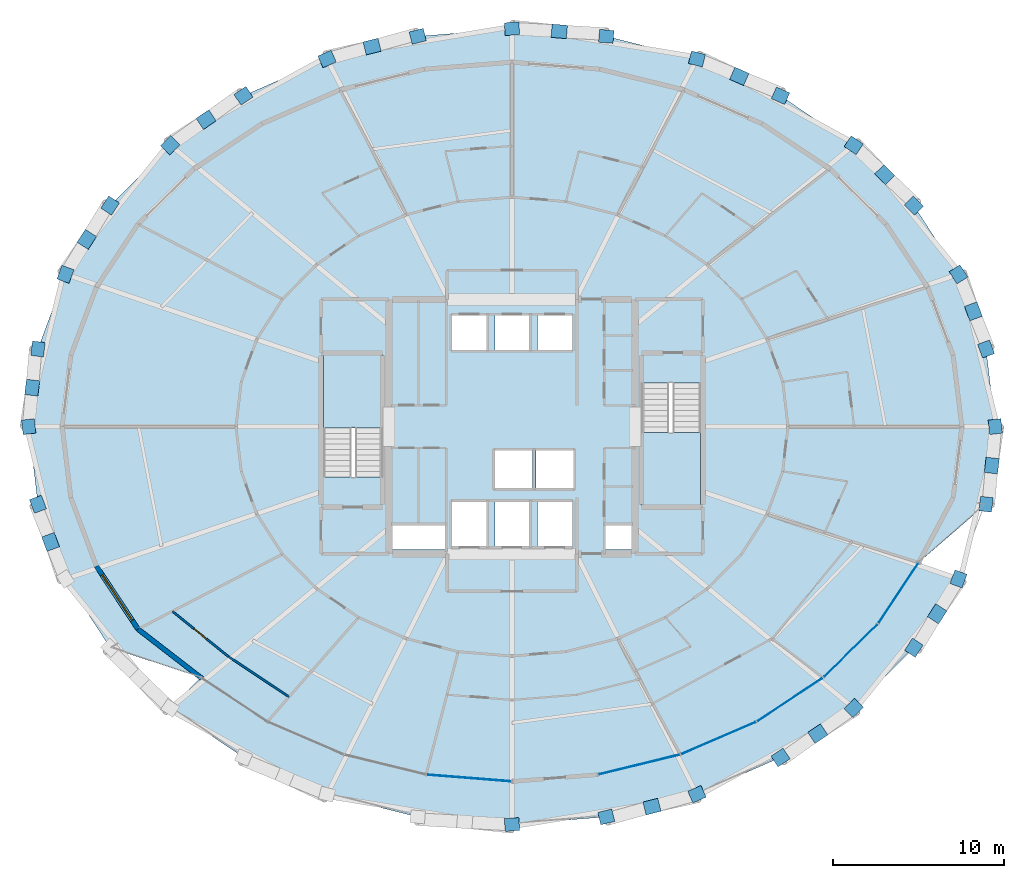
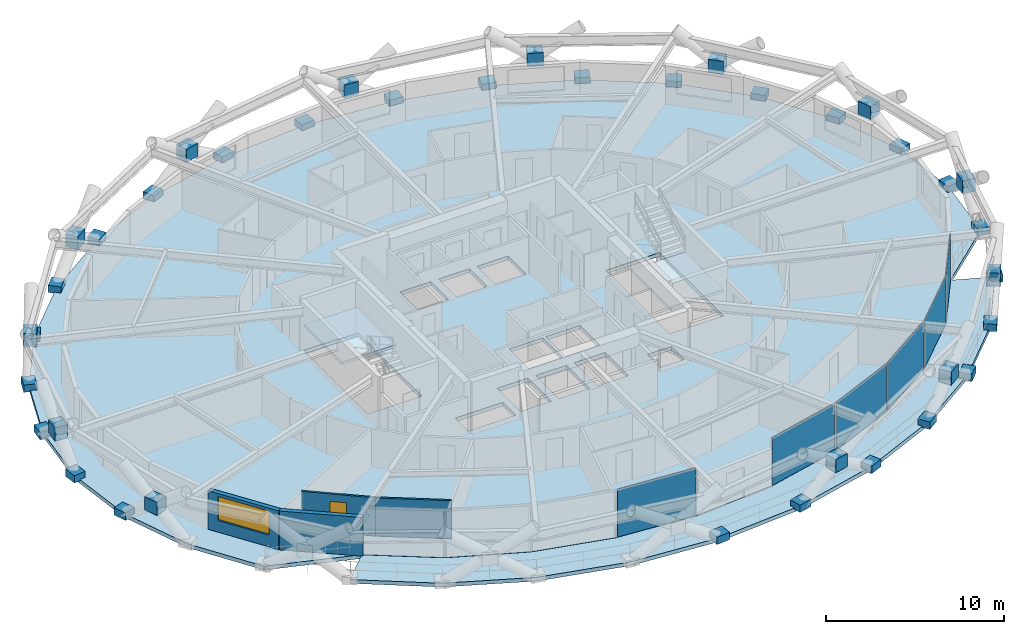
# One storey, part 13 of 20: 45 plates, 4 slabs, 4 walls, 1 door, 1 window, 2 openings, 4 elements without a shape of their own.
"""IFC4 building model written with IfcOpenShell, lengths in metres."""

from ifc_helpers import new_model, si_unit, direction, frame, frame_2d, origin, origin_2d, place, context, subcontext, project, spatial, polyline, rectangle, outline, extrude, material, layer, layer_set, type_object, element, fill, aggregate, save


model = new_model("IFC4")

# Units and contexts
model_context = context("Model", 3, precision=1e-05, world=origin(), true_north=direction((0.0, 1.0)))
body_context = subcontext(model_context, "Body", "Model", "MODEL_VIEW")
ifc_project = project(units=[si_unit("LENGTHUNIT", "METRE"), si_unit("AREAUNIT", "SQUARE_METRE"), si_unit("VOLUMEUNIT", "CUBIC_METRE"), si_unit("PLANEANGLEUNIT", "RADIAN"), si_unit("MASSUNIT", "GRAM", prefix="KILO")], contexts=[model_context])

# Site, building, storey
site_placement = place(None, origin())
site = spatial("IfcSite", under=ifc_project, at=site_placement, CompositionType="ELEMENT")
building_placement = place(site_placement, origin())
building = spatial("IfcBuilding", under=site, at=building_placement, Name="Veldorina Hangang Commons", CompositionType="ELEMENT")
storey_placement = place(building_placement, frame((0.0, 0.0, 48.39990234375)))
storey = spatial("IfcBuildingStorey", under=building, at=storey_placement, Name="L11", CompositionType="ELEMENT", Elevation=48.39990234375)

# Curtain wall, plate
ifc_material_1 = material(Name="Glass Low-E Triple IGU", Category="glass")
ifc_layer_1 = layer(ifc_material_1, 0.179931640625)
ifc_layer_set_1 = layer_set([ifc_layer_1], Name="Glass Low-E Triple IGU")
curtain_wall_type = type_object("IfcCurtainWallType", Name="CW-SYS-Z1", PredefinedType="NOTDEFINED", material=ifc_layer_set_1)
curtain_wall_1_placement = place(storey_placement, origin())
curtain_wall_1 = element("IfcCurtainWall", 1, at=curtain_wall_1_placement, inside=storey, type_object=curtain_wall_type, Name="L11 unitised curtain wall CW-L11-R1", PredefinedType="NOTDEFINED")
ifc_layer_2 = layer(ifc_material_1, 0.0400390625)
ifc_layer_set_2 = layer_set([ifc_layer_2], Name="Glass Low-E Triple IGU")
plate_type_1 = type_object("IfcPlateType", Name="CW-PNL-VIS", PredefinedType="CURTAIN_PANEL", material=ifc_layer_set_2)
plate_1_placement = place(storey_placement, frame((29.485595703125, 3.421630859375, 0.01513671875), z_axis=(0.0, 0.0, 1.0), x_axis=(0.996863697377, -0.079137657603, 0.0)))
plate_1 = element("IfcPlate", 2, at=plate_1_placement, type_object=plate_type_1, Name="CW-L11-R1 facet 4 glazed vision panel", PredefinedType="CURTAIN_PANEL", context=body_context, shape_type="SweptSolid", body=[
    extrude(rectangle(XDim=4.86474609375, YDim=0.0400390625, at=origin_2d()), origin(), (0.0, 0.0, 1.0), 3.27001953125),
])
aggregate(curtain_wall_1, [plate_1])

# Curtain wall, plates
curtain_wall_2_placement = place(storey_placement, origin())
curtain_wall_2 = element("IfcCurtainWall", 3, at=curtain_wall_2_placement, inside=storey, type_object=curtain_wall_type, Name="L11 unitised curtain wall CW-L11-R2", PredefinedType="NOTDEFINED")
plate_2_placement = place(storey_placement, frame((39.447021484375, 4.21240234375, 0.01513671875), z_axis=(0.0, 0.0, 1.0), x_axis=(0.971383539033, 0.237516357534, 0.0)))
plate_2 = element("IfcPlate", 4, at=plate_2_placement, type_object=plate_type_1, Name="CW-L11-R2 facet 1 glazed vision panel", PredefinedType="CURTAIN_PANEL", context=body_context, shape_type="SweptSolid", body=[
    extrude(rectangle(XDim=4.79833984375, YDim=0.0400390625, at=origin_2d()), origin(), (0.0, 0.0, 1.0), 3.27001953125),
])
plate_3_placement = place(storey_placement, frame((44.09326171875, 5.763671875, 0.01513671875), z_axis=(0.0, 0.0, 1.0), x_axis=(0.91839114382, 0.395673738014, 0.0)))
plate_3 = element("IfcPlate", 5, at=plate_3_placement, type_object=plate_type_1, Name="CW-L11-R2 facet 2 glazed vision panel", PredefinedType="CURTAIN_PANEL", context=body_context, shape_type="SweptSolid", body=[
    extrude(rectangle(XDim=4.672607421875, YDim=0.0400390625, at=origin_2d()), origin(), (0.0, 0.0, 1.0), 3.27001953125),
])
plate_4_placement = place(storey_placement, frame((48.274658203125, 8.015625, 0.01513671875), z_axis=(0.0, 0.0, 1.0), x_axis=(0.834039919434, 0.551704098944, 0.0)))
plate_4 = element("IfcPlate", 6, at=plate_4_placement, type_object=plate_type_1, Name="CW-L11-R2 facet 3 glazed vision panel", PredefinedType="CURTAIN_PANEL", context=body_context, shape_type="SweptSolid", body=[
    extrude(rectangle(XDim=4.503662109375, YDim=0.0400390625, at=origin_2d()), origin(), (0.0, 0.0, 1.0), 3.27001953125),
])
plate_5_placement = place(storey_placement, frame((51.830810546875, 10.882080078125, 0.01513671875), z_axis=(0.0, 0.0, 1.0), x_axis=(0.713433922326, 0.700722511751, 0.0)))
plate_5 = element("IfcPlate", 7, at=plate_5_placement, type_object=plate_type_1, Name="CW-L11-R2 facet 4 glazed vision panel", PredefinedType="CURTAIN_PANEL", context=body_context, shape_type="SweptSolid", body=[
    extrude(rectangle(XDim=4.3134765625, YDim=0.0400390625, at=origin_2d()), origin(), (0.0, 0.0, 1.0), 3.27001953125),
])
plate_6_placement = place(storey_placement, frame((54.624755859375, 14.25244140625, 0.01513671875), z_axis=(0.0, 0.0, 1.0), x_axis=(0.552679023274, 0.833394202784, 0.0)))
plate_6 = element("IfcPlate", 8, at=plate_6_placement, type_object=plate_type_1, Name="CW-L11-R2 facet 5 glazed vision panel", PredefinedType="CURTAIN_PANEL", context=body_context, shape_type="SweptSolid", body=[
    extrude(rectangle(XDim=4.13037109375, YDim=0.0400390625, at=origin_2d()), origin(), (0.0, 0.0, 1.0), 3.27001953125),
])
aggregate(curtain_wall_2, [plate_2, plate_3, plate_4, plate_5, plate_6])

# Plates
ifc_material_2 = material(Name="Steel SM460-TMC", Category="steel")
ifc_layer_3 = layer(ifc_material_2, 0.035888671875)
ifc_layer_set_3 = layer_set([ifc_layer_3], Name="Steel SM460-TMC")
plate_type_2 = type_object("IfcPlateType", Name="PL-STAR-36", PredefinedType="USERDEFINED", material=ifc_layer_set_3)
for number, where, z_axis, x_axis, name in (
    (9, (60.298095703125, 24.0, -0.08984375), (0.0, 0.0, 1.0), (-0.118767901212, 0.992922044091, 0.0), "L11 diagrid star-node gusset plate 00"),
    (10, (59.75439453125, 28.545166015625, -0.08984375), (0.0, 0.0, 1.0), (-0.345740415061, 0.938330200619, 0.0), "L11 diagrid star-node gusset plate 01"),
):
    element("IfcPlate", number, at=place(storey_placement, frame(where, z_axis=z_axis, x_axis=x_axis)), inside=storey, type_object=plate_type_2, Name=name, ObjectType="GUSSET PLATE", PredefinedType="USERDEFINED", context=body_context, shape_type="SweptSolid", body=[
        extrude(rectangle(XDim=0.85009765625, YDim=0.75, at=origin_2d()), origin(), (0.0, 0.0, 1.0), 0.5),
    ])
plate_7_placement = place(storey_placement, frame((59.0146484375, 30.75048828125, 1.344970703125), z_axis=(0.0, 0.0, 1.0), x_axis=(-0.345740415061, 0.938330200619, 0.0)))
element("IfcPlate", 11, at=plate_7_placement, inside=storey, type_object=plate_type_2, Name="L11 diagrid X-crossing star-node gusset plate 01", ObjectType="GUSSET PLATE", PredefinedType="USERDEFINED", context=body_context, shape_type="SweptSolid", body=[
    extrude(rectangle(XDim=0.89990234375, YDim=0.780029296875, at=origin_2d()), origin(), (0.0, 0.0, 1.0), 0.89990234375),
])
for number, where, z_axis, x_axis, name in (
    (12, (58.143798828125, 32.915771484375, -0.08984375), (0.0, 0.0, 1.0), (-0.544536568011, 0.838737101897, 0.0), "L11 diagrid star-node gusset plate 02"),
    (13, (55.52880859375, 36.943603515625, -0.08984375), (0.0, 0.0, 1.0), (-0.705970466697, 0.708241272556, 0.0), "L11 diagrid star-node gusset plate 03"),
):
    element("IfcPlate", number, at=place(storey_placement, frame(where, z_axis=z_axis, x_axis=x_axis)), inside=storey, type_object=plate_type_2, Name=name, ObjectType="GUSSET PLATE", PredefinedType="USERDEFINED", context=body_context, shape_type="SweptSolid", body=[
        extrude(rectangle(XDim=0.85009765625, YDim=0.75, at=origin_2d()), origin(), (0.0, 0.0, 1.0), 0.5),
    ])
plate_8_placement = place(storey_placement, frame((53.822509765625, 38.752685546875, 1.345458984375), z_axis=(0.0, 0.0, 1.0), x_axis=(-0.705970466697, 0.708241272556, 0.0)))
element("IfcPlate", 14, at=plate_8_placement, inside=storey, type_object=plate_type_2, Name="L11 diagrid X-crossing star-node gusset plate 03", ObjectType="GUSSET PLATE", PredefinedType="USERDEFINED", context=body_context, shape_type="SweptSolid", body=[
    extrude(rectangle(XDim=0.89990234375, YDim=0.780029296875, at=origin_2d()), origin(), (0.0, 0.0, 1.0), 0.89990234375),
])
for number, where, z_axis, x_axis, name in (
    (15, (52.009765625, 40.47412109375, -0.08984375), (0.0, 0.0, 1.0), (-0.82858835658, 0.559858317202, 0.0), "L11 diagrid star-node gusset plate 04"),
    (16, (47.721435546875, 43.37158203125, -0.08984375), (0.0, 0.0, 1.0), (-0.91529742005, 0.402778640011, 0.0), "L11 diagrid star-node gusset plate 05"),
):
    element("IfcPlate", number, at=place(storey_placement, frame(where, z_axis=z_axis, x_axis=x_axis)), inside=storey, type_object=plate_type_2, Name=name, ObjectType="GUSSET PLATE", PredefinedType="USERDEFINED", context=body_context, shape_type="SweptSolid", body=[
        extrude(rectangle(XDim=0.85009765625, YDim=0.75, at=origin_2d()), origin(), (0.0, 0.0, 1.0), 0.5),
    ])
plate_9_placement = place(storey_placement, frame((45.3076171875, 44.508544921875, 1.345703125), z_axis=(0.0, 0.0, 1.0), x_axis=(-0.91529742005, 0.402778640011, 0.0)))
element("IfcPlate", 17, at=plate_9_placement, inside=storey, type_object=plate_type_2, Name="L11 diagrid X-crossing star-node gusset plate 05", ObjectType="GUSSET PLATE", PredefinedType="USERDEFINED", context=body_context, shape_type="SweptSolid", body=[
    extrude(rectangle(XDim=0.89990234375, YDim=0.780029296875, at=origin_2d()), origin(), (0.0, 0.0, 1.0), 0.89990234375),
])
for number, where, z_axis, x_axis, name in (
    (18, (42.8291015625, 45.5244140625, -0.08984375), (0.0, 0.0, 1.0), (-0.970198534428, 0.242311377765, 0.0), "L11 diagrid star-node gusset plate 06"),
    (19, (37.520751953125, 46.850341796875, -0.08984375), (0.0, 0.0, 1.0), (-0.996728291233, 0.080825203097, 0.0), "L11 diagrid star-node gusset plate 07"),
):
    element("IfcPlate", number, at=place(storey_placement, frame(where, z_axis=z_axis, x_axis=x_axis)), inside=storey, type_object=plate_type_2, Name=name, ObjectType="GUSSET PLATE", PredefinedType="USERDEFINED", context=body_context, shape_type="SweptSolid", body=[
        extrude(rectangle(XDim=0.85009765625, YDim=0.75, at=origin_2d()), origin(), (0.0, 0.0, 1.0), 0.5),
    ])
plate_10_placement = place(storey_placement, frame((34.76708984375, 47.14208984375, 1.345947265625), z_axis=(0.0, 0.0, 1.0), x_axis=(-0.996728291233, 0.080825203097, 0.0)))
element("IfcPlate", 20, at=plate_10_placement, inside=storey, type_object=plate_type_2, Name="L11 diagrid X-crossing star-node gusset plate 07", ObjectType="GUSSET PLATE", PredefinedType="USERDEFINED", context=body_context, shape_type="SweptSolid", body=[
    extrude(rectangle(XDim=0.89990234375, YDim=0.780029296875, at=origin_2d()), origin(), (0.0, 0.0, 1.0), 0.89990234375),
])
for number, where, z_axis, x_axis, name in (
    (21, (32.0, 47.298095703125, -0.08984375), (0.0, 0.0, 1.0), (-0.996728291233, -0.080825203097, 0.0), "L11 diagrid star-node gusset plate 08"),
    (22, (26.479248046875, 46.850341796875, -0.08984375), (0.0, 0.0, 1.0), (-0.970198534428, -0.242311377765, 0.0), "L11 diagrid star-node gusset plate 09"),
):
    element("IfcPlate", number, at=place(storey_placement, frame(where, z_axis=z_axis, x_axis=x_axis)), inside=storey, type_object=plate_type_2, Name=name, ObjectType="GUSSET PLATE", PredefinedType="USERDEFINED", context=body_context, shape_type="SweptSolid", body=[
        extrude(rectangle(XDim=0.85009765625, YDim=0.75, at=origin_2d()), origin(), (0.0, 0.0, 1.0), 0.5),
    ])
plate_11_placement = place(storey_placement, frame((23.805419921875, 46.252197265625, 1.345703125), z_axis=(0.0, 0.0, 1.0), x_axis=(-0.970198534428, -0.242311377765, 0.0)))
element("IfcPlate", 23, at=plate_11_placement, inside=storey, type_object=plate_type_2, Name="L11 diagrid X-crossing star-node gusset plate 09", ObjectType="GUSSET PLATE", PredefinedType="USERDEFINED", context=body_context, shape_type="SweptSolid", body=[
    extrude(rectangle(XDim=0.89990234375, YDim=0.780029296875, at=origin_2d()), origin(), (0.0, 0.0, 1.0), 0.89990234375),
])
for number, where, z_axis, x_axis, name in (
    (24, (21.1708984375, 45.5244140625, -0.08984375), (0.0, 0.0, 1.0), (-0.91529742005, -0.402778640011, 0.0), "L11 diagrid star-node gusset plate 10"),
    (25, (16.278564453125, 43.37158203125, -0.08984375), (0.0, 0.0, 1.0), (-0.82858835658, -0.559858317202, 0.0), "L11 diagrid star-node gusset plate 11"),
):
    element("IfcPlate", number, at=place(storey_placement, frame(where, z_axis=z_axis, x_axis=x_axis)), inside=storey, type_object=plate_type_2, Name=name, ObjectType="GUSSET PLATE", PredefinedType="USERDEFINED", context=body_context, shape_type="SweptSolid", body=[
        extrude(rectangle(XDim=0.85009765625, YDim=0.75, at=origin_2d()), origin(), (0.0, 0.0, 1.0), 0.5),
    ])
plate_12_placement = place(storey_placement, frame((14.091552734375, 41.97509765625, 1.345458984375), z_axis=(0.0, 0.0, 1.0), x_axis=(-0.82858835658, -0.559858317202, 0.0)))
element("IfcPlate", 26, at=plate_12_placement, inside=storey, type_object=plate_type_2, Name="L11 diagrid X-crossing star-node gusset plate 11", ObjectType="GUSSET PLATE", PredefinedType="USERDEFINED", context=body_context, shape_type="SweptSolid", body=[
    extrude(rectangle(XDim=0.89990234375, YDim=0.780029296875, at=origin_2d()), origin(), (0.0, 0.0, 1.0), 0.89990234375),
])
for number, where, z_axis, x_axis, name in (
    (27, (11.990234375, 40.47412109375, -0.08984375), (0.0, 0.0, 1.0), (-0.705970466697, -0.708241272556, 0.0), "L11 diagrid star-node gusset plate 12"),
    (28, (8.47119140625, 36.943603515625, -0.08984375), (0.0, 0.0, 1.0), (-0.544536568011, -0.838737101897, 0.0), "L11 diagrid star-node gusset plate 13"),
):
    element("IfcPlate", number, at=place(storey_placement, frame(where, z_axis=z_axis, x_axis=x_axis)), inside=storey, type_object=plate_type_2, Name=name, ObjectType="GUSSET PLATE", PredefinedType="USERDEFINED", context=body_context, shape_type="SweptSolid", body=[
        extrude(rectangle(XDim=0.85009765625, YDim=0.75, at=origin_2d()), origin(), (0.0, 0.0, 1.0), 0.5),
    ])
plate_13_placement = place(storey_placement, frame((7.10400390625, 34.96142578125, 1.34521484375), z_axis=(0.0, 0.0, 1.0), x_axis=(-0.544536568011, -0.838737101897, 0.0)))
element("IfcPlate", 29, at=plate_13_placement, inside=storey, type_object=plate_type_2, Name="L11 diagrid X-crossing star-node gusset plate 13", ObjectType="GUSSET PLATE", PredefinedType="USERDEFINED", context=body_context, shape_type="SweptSolid", body=[
    extrude(rectangle(XDim=0.89990234375, YDim=0.780029296875, at=origin_2d()), origin(), (0.0, 0.0, 1.0), 0.89990234375),
])
for number, where, z_axis, x_axis, name in (
    (30, (5.856201171875, 32.915771484375, -0.08984375), (0.0, 0.0, 1.0), (-0.345740415061, -0.938330200619, 0.0), "L11 diagrid star-node gusset plate 14"),
    (31, (4.24560546875, 28.545166015625, -0.08984375), (0.0, 0.0, 1.0), (-0.118767901212, -0.992922044091, 0.0), "L11 diagrid star-node gusset plate 15"),
):
    element("IfcPlate", number, at=place(storey_placement, frame(where, z_axis=z_axis, x_axis=x_axis)), inside=storey, type_object=plate_type_2, Name=name, ObjectType="GUSSET PLATE", PredefinedType="USERDEFINED", context=body_context, shape_type="SweptSolid", body=[
        extrude(rectangle(XDim=0.85009765625, YDim=0.75, at=origin_2d()), origin(), (0.0, 0.0, 1.0), 0.5),
    ])
plate_14_placement = place(storey_placement, frame((3.90625, 26.279296875, 1.3447265625), z_axis=(0.0, 0.0, 1.0), x_axis=(-0.118767901212, -0.992922044091, 0.0)))
element("IfcPlate", 32, at=plate_14_placement, inside=storey, type_object=plate_type_2, Name="L11 diagrid X-crossing star-node gusset plate 15", ObjectType="GUSSET PLATE", PredefinedType="USERDEFINED", context=body_context, shape_type="SweptSolid", body=[
    extrude(rectangle(XDim=0.89990234375, YDim=0.780029296875, at=origin_2d()), origin(), (0.0, 0.0, 1.0), 0.89990234375),
])
for number, where, z_axis, x_axis, name in (
    (33, (3.701904296875, 24.0, -0.08984375), (0.0, 0.0, 1.0), (0.118767901212, -0.992922044091, 0.0), "L11 diagrid star-node gusset plate 16"),
    (34, (4.24560546875, 19.454833984375, -0.08984375), (0.0, 0.0, 1.0), (0.345740415061, -0.938330200619, 0.0), "L11 diagrid star-node gusset plate 17"),
):
    element("IfcPlate", number, at=place(storey_placement, frame(where, z_axis=z_axis, x_axis=x_axis)), inside=storey, type_object=plate_type_2, Name=name, ObjectType="GUSSET PLATE", PredefinedType="USERDEFINED", context=body_context, shape_type="SweptSolid", body=[
        extrude(rectangle(XDim=0.85009765625, YDim=0.75, at=origin_2d()), origin(), (0.0, 0.0, 1.0), 0.5),
    ])
plate_15_placement = place(storey_placement, frame((4.9853515625, 17.24951171875, 1.344970703125), z_axis=(0.0, 0.0, 1.0), x_axis=(0.345740415061, -0.938330200619, 0.0)))
element("IfcPlate", 35, at=plate_15_placement, inside=storey, type_object=plate_type_2, Name="L11 diagrid X-crossing star-node gusset plate 17", ObjectType="GUSSET PLATE", PredefinedType="USERDEFINED", context=body_context, shape_type="SweptSolid", body=[
    extrude(rectangle(XDim=0.89990234375, YDim=0.780029296875, at=origin_2d()), origin(), (0.0, 0.0, 1.0), 0.89990234375),
])
for number, where, z_axis, x_axis, name in (
    (36, (32.0, 0.701904296875, -0.08984375), (0.0, 0.0, 1.0), (0.996728291233, 0.080825203097, 0.0), "L11 diagrid star-node gusset plate 24"),
    (37, (37.520751953125, 1.149658203125, -0.08984375), (0.0, 0.0, 1.0), (0.970198534428, 0.242311377765, 0.0), "L11 diagrid star-node gusset plate 25"),
):
    element("IfcPlate", number, at=place(storey_placement, frame(where, z_axis=z_axis, x_axis=x_axis)), inside=storey, type_object=plate_type_2, Name=name, ObjectType="GUSSET PLATE", PredefinedType="USERDEFINED", context=body_context, shape_type="SweptSolid", body=[
        extrude(rectangle(XDim=0.85009765625, YDim=0.75, at=origin_2d()), origin(), (0.0, 0.0, 1.0), 0.5),
    ])
plate_16_placement = place(storey_placement, frame((40.194580078125, 1.747802734375, 1.345703125), z_axis=(0.0, 0.0, 1.0), x_axis=(0.970198534428, 0.242311377765, 0.0)))
element("IfcPlate", 38, at=plate_16_placement, inside=storey, type_object=plate_type_2, Name="L11 diagrid X-crossing star-node gusset plate 25", ObjectType="GUSSET PLATE", PredefinedType="USERDEFINED", context=body_context, shape_type="SweptSolid", body=[
    extrude(rectangle(XDim=0.89990234375, YDim=0.780029296875, at=origin_2d()), origin(), (0.0, 0.0, 1.0), 0.89990234375),
])
for number, where, z_axis, x_axis, name in (
    (39, (42.8291015625, 2.4755859375, -0.08984375), (0.0, 0.0, 1.0), (0.91529742005, 0.402778640011, 0.0), "L11 diagrid star-node gusset plate 26"),
    (40, (47.721435546875, 4.62841796875, -0.08984375), (0.0, 0.0, 1.0), (0.82858835658, 0.559858317202, 0.0), "L11 diagrid star-node gusset plate 27"),
):
    element("IfcPlate", number, at=place(storey_placement, frame(where, z_axis=z_axis, x_axis=x_axis)), inside=storey, type_object=plate_type_2, Name=name, ObjectType="GUSSET PLATE", PredefinedType="USERDEFINED", context=body_context, shape_type="SweptSolid", body=[
        extrude(rectangle(XDim=0.85009765625, YDim=0.75, at=origin_2d()), origin(), (0.0, 0.0, 1.0), 0.5),
    ])
plate_17_placement = place(storey_placement, frame((49.908447265625, 6.02490234375, 1.345458984375), z_axis=(0.0, 0.0, 1.0), x_axis=(0.82858835658, 0.559858317202, 0.0)))
element("IfcPlate", 41, at=plate_17_placement, inside=storey, type_object=plate_type_2, Name="L11 diagrid X-crossing star-node gusset plate 27", ObjectType="GUSSET PLATE", PredefinedType="USERDEFINED", context=body_context, shape_type="SweptSolid", body=[
    extrude(rectangle(XDim=0.89990234375, YDim=0.780029296875, at=origin_2d()), origin(), (0.0, 0.0, 1.0), 0.89990234375),
])
for number, where, z_axis, x_axis, name in (
    (42, (52.009765625, 7.52587890625, -0.08984375), (0.0, 0.0, 1.0), (0.705970466697, 0.708241272556, 0.0), "L11 diagrid star-node gusset plate 28"),
    (43, (55.52880859375, 11.056396484375, -0.08984375), (0.0, 0.0, 1.0), (0.544536568011, 0.838737101897, 0.0), "L11 diagrid star-node gusset plate 29"),
):
    element("IfcPlate", number, at=place(storey_placement, frame(where, z_axis=z_axis, x_axis=x_axis)), inside=storey, type_object=plate_type_2, Name=name, ObjectType="GUSSET PLATE", PredefinedType="USERDEFINED", context=body_context, shape_type="SweptSolid", body=[
        extrude(rectangle(XDim=0.85009765625, YDim=0.75, at=origin_2d()), origin(), (0.0, 0.0, 1.0), 0.5),
    ])
plate_18_placement = place(storey_placement, frame((56.89599609375, 13.03857421875, 1.34521484375), z_axis=(0.0, 0.0, 1.0), x_axis=(0.544536568011, 0.838737101897, 0.0)))
element("IfcPlate", 44, at=plate_18_placement, inside=storey, type_object=plate_type_2, Name="L11 diagrid X-crossing star-node gusset plate 29", ObjectType="GUSSET PLATE", PredefinedType="USERDEFINED", context=body_context, shape_type="SweptSolid", body=[
    extrude(rectangle(XDim=0.89990234375, YDim=0.780029296875, at=origin_2d()), origin(), (0.0, 0.0, 1.0), 0.89990234375),
])
for number, where, z_axis, x_axis, name in (
    (45, (58.143798828125, 15.084228515625, -0.08984375), (0.0, 0.0, 1.0), (0.345740415061, 0.938330200619, 0.0), "L11 diagrid star-node gusset plate 30"),
    (46, (59.75439453125, 19.454833984375, -0.08984375), (0.0, 0.0, 1.0), (0.118767901212, 0.992922044091, 0.0), "L11 diagrid star-node gusset plate 31"),
):
    element("IfcPlate", number, at=place(storey_placement, frame(where, z_axis=z_axis, x_axis=x_axis)), inside=storey, type_object=plate_type_2, Name=name, ObjectType="GUSSET PLATE", PredefinedType="USERDEFINED", context=body_context, shape_type="SweptSolid", body=[
        extrude(rectangle(XDim=0.85009765625, YDim=0.75, at=origin_2d()), origin(), (0.0, 0.0, 1.0), 0.5),
    ])
plate_19_placement = place(storey_placement, frame((60.09375, 21.720703125, 1.3447265625), z_axis=(0.0, 0.0, 1.0), x_axis=(0.118767901212, 0.992922044091, 0.0)))
element("IfcPlate", 47, at=plate_19_placement, inside=storey, type_object=plate_type_2, Name="L11 diagrid X-crossing star-node gusset plate 31", ObjectType="GUSSET PLATE", PredefinedType="USERDEFINED", context=body_context, shape_type="SweptSolid", body=[
    extrude(rectangle(XDim=0.89990234375, YDim=0.780029296875, at=origin_2d()), origin(), (0.0, 0.0, 1.0), 0.89990234375),
])

# Slabs
ifc_material_3 = material(Name="Concrete C40/50", Category="concrete")
ifc_layer_4 = layer(ifc_material_3, 0.260009765625)
ifc_layer_set_4 = layer_set([ifc_layer_4], Name="Concrete C40/50")
slab_type_1 = type_object("IfcSlabType", Name="SL-FLR-260", PredefinedType="FLOOR", material=ifc_layer_set_4)
slab_1_placement = place(storey_placement, frame((0.0, 0.0, -0.260009765625)))
element("IfcSlab", 48, at=slab_1_placement, inside=storey, type_object=slab_type_1, Name="L11 tower structural floor slab", PredefinedType="FLOOR", context=body_context, shape_type="SweptSolid", body=[
    extrude(outline(polyline([(60.298095703125, 24.0), (59.75439453125, 28.545166015625), (58.143798828125, 32.915771484375), (55.52880859375, 36.943603515625), (52.009765625, 40.47412109375), (47.721435546875, 43.37158203125), (42.8291015625, 45.5244140625), (37.520751953125, 46.850341796875), (32.0, 47.298095703125), (26.479248046875, 46.850341796875), (21.1708984375, 45.5244140625), (16.278564453125, 43.37158203125), (11.990234375, 40.47412109375), (8.47119140625, 36.943603515625), (5.856201171875, 32.915771484375), (4.24560546875, 28.545166015625), (3.701904296875, 24.0), (4.24560546875, 19.454833984375), (5.856201171875, 15.084228515625), (8.47119140625, 11.056396484375), (13.772216796875, 9.3076171875), (17.678466796875, 6.7236328125), (22.13525390625, 4.8037109375), (26.970947265625, 3.62109375), (32.0, 3.221923828125), (37.029052734375, 3.62109375), (41.86474609375, 4.8037109375), (46.321533203125, 6.7236328125), (50.227783203125, 9.3076171875), (53.43359375, 12.456298828125), (55.81591796875, 16.048583984375), (59.75439453125, 19.454833984375), (60.298095703125, 24.0)]), holes=[polyline([(20.949951171875, 21.05810546875), (20.949951171875, 28.199951171875), (24.449951171875, 28.199951171875), (24.449951171875, 21.05810546875), (20.949951171875, 21.05810546875)]), polyline([(43.050048828125, 26.5419921875), (43.050048828125, 19.39990234375), (39.550048828125, 19.39990234375), (39.550048828125, 26.5419921875), (43.050048828125, 26.5419921875)]), polyline([(28.5, 30.5), (30.5, 30.5), (30.5, 28.5), (28.5, 28.5), (28.5, 30.5)]), polyline([(31.0, 30.5), (33.0, 30.5), (33.0, 28.5), (31.0, 28.5), (31.0, 30.5)]), polyline([(33.5, 30.5), (35.5, 30.5), (35.5, 28.5), (33.5, 28.5), (33.5, 30.5)]), polyline([(31.0, 22.60009765625), (33.199951171875, 22.60009765625), (33.199951171875, 20.39990234375), (31.0, 20.39990234375), (31.0, 22.60009765625)]), polyline([(33.39990234375, 22.60009765625), (35.60009765625, 22.60009765625), (35.60009765625, 20.39990234375), (33.39990234375, 20.39990234375), (33.39990234375, 22.60009765625)]), polyline([(28.5, 19.60009765625), (30.5, 19.60009765625), (30.5, 17.0), (28.5, 17.0), (28.5, 19.60009765625)]), polyline([(31.0, 19.60009765625), (33.0, 19.60009765625), (33.0, 17.0), (31.0, 17.0), (31.0, 19.60009765625)]), polyline([(33.5, 19.60009765625), (35.5, 19.60009765625), (35.5, 17.0), (33.5, 17.0), (33.5, 19.60009765625)]), polyline([(25.0, 18.25), (28.10009765625, 18.25), (28.10009765625, 16.800048828125), (25.0, 16.800048828125), (25.0, 18.25)]), polyline([(37.449951171875, 18.25), (39.0, 18.25), (39.0, 16.800048828125), (37.449951171875, 16.800048828125), (37.449951171875, 18.25)])]), origin(), (0.0, 0.0, 1.0), 0.260009765625),
])
slab_2_placement = place(storey_placement, frame((0.0, 0.0, -0.260009765625)))
element("IfcSlab", 49, at=slab_2_placement, inside=storey, type_object=slab_type_1, Name="L11 sky-garden loggia outdoor slab", PredefinedType="FLOOR", context=body_context, shape_type="SweptSolid", body=[
    extrude(outline(polyline([(58.143798828125, 15.084228515625), (55.52880859375, 11.056396484375), (52.009765625, 7.52587890625), (47.721435546875, 4.62841796875), (42.8291015625, 2.4755859375), (37.520751953125, 1.149658203125), (32.0, 0.701904296875), (26.479248046875, 1.149658203125), (21.1708984375, 2.4755859375), (16.278564453125, 4.62841796875), (11.990234375, 7.52587890625), (13.76025390625, 9.2958984375), (13.765625, 9.294189453125), (17.670166015625, 6.711181640625), (17.67138671875, 6.71044921875), (17.672607421875, 6.7099609375), (22.12939453125, 4.789794921875), (22.13037109375, 4.789306640625), (22.131591796875, 4.7890625), (26.96728515625, 3.606689453125), (26.968505859375, 3.6064453125), (26.9697265625, 3.606201171875), (31.998779296875, 3.20703125), (32.0, 3.20703125), (32.001220703125, 3.20703125), (37.0302734375, 3.606201171875), (37.031494140625, 3.6064453125), (37.03271484375, 3.606689453125), (41.868408203125, 4.7890625), (41.86962890625, 4.789306640625), (41.87060546875, 4.789794921875), (46.327392578125, 6.7099609375), (46.32861328125, 6.71044921875), (46.329833984375, 6.711181640625), (50.236083984375, 9.295166015625), (50.2373046875, 9.2958984375), (50.23828125, 9.297119140625), (53.444091796875, 12.44580078125), (53.4453125, 12.447021484375), (53.446044921875, 12.447998046875), (55.8271484375, 16.03857421875), (55.831298828125, 16.042236328125), (58.143798828125, 15.084228515625)])), origin(), (0.0, 0.0, 1.0), 0.260009765625),
])

# Stair, slab
stair_type = type_object("IfcStairType", Name="STR-DOG-1650-20R", PredefinedType="HALF_TURN_STAIR", material=ifc_material_3)
stair_1_placement = place(storey_placement, origin())
stair_1 = element("IfcStair", 50, at=stair_1_placement, inside=storey, type_object=stair_type, Name="L11 Exit stair ST-1", PredefinedType="HALF_TURN_STAIR")
ifc_layer_5 = layer(ifc_material_3, 0.199951171875)
ifc_layer_set_5 = layer_set([ifc_layer_5], Name="Concrete C40/50")
slab_type_2 = type_object("IfcSlabType", Name="SL-LND-200", PredefinedType="LANDING", material=ifc_layer_set_5)
slab_3_placement = place(storey_placement, frame((0.0, 0.0, 1.60009765625)))
slab_3 = element("IfcSlab", 51, at=slab_3_placement, type_object=slab_type_2, Name="ST-1 landing 1", PredefinedType="LANDING", context=body_context, shape_type="SweptSolid", body=[
    extrude(outline(polyline([(24.449951171875, 23.929931640625), (24.449951171875, 28.199951171875), (20.949951171875, 28.199951171875), (20.949951171875, 23.929931640625), (24.449951171875, 23.929931640625)])), origin(), (0.0, 0.0, 1.0), 0.199951171875),
])
aggregate(stair_1, [slab_3])

stair_2_placement = place(storey_placement, origin())
stair_2 = element("IfcStair", 52, at=stair_2_placement, inside=storey, type_object=stair_type, Name="L11 Exit stair ST-2", PredefinedType="HALF_TURN_STAIR")
slab_4_placement = place(storey_placement, frame((0.0, 0.0, 1.60009765625)))
slab_4 = element("IfcSlab", 53, at=slab_4_placement, type_object=slab_type_2, Name="ST-2 landing 1", PredefinedType="LANDING", context=body_context, shape_type="SweptSolid", body=[
    extrude(outline(polyline([(39.550048828125, 23.669921875), (39.550048828125, 19.39990234375), (43.050048828125, 19.39990234375), (43.050048828125, 23.669921875), (39.550048828125, 23.669921875)])), origin(), (0.0, 0.0, 1.0), 0.199951171875),
])
aggregate(stair_2, [slab_4])

# Wall, opening, window
ifc_material_4 = material(Name="Stone Roman Travertine", Category="masonry")
ifc_layer_6 = layer(ifc_material_4, 0.280029296875)
ifc_layer_set_6 = layer_set([ifc_layer_6], Name="Stone Roman Travertine")
wall_type_1 = type_object("IfcWallType", Name="EW-TRAV-280", PredefinedType="STANDARD", material=ifc_layer_set_6)
wall_1_placement = place(storey_placement, frame((7.6669921875, 15.834228515625, 0.0), z_axis=(0.0, 0.0, 1.0), x_axis=(0.550703673424, -0.834700823096, 0.0)))
wall_1 = element("IfcWall", 54, at=wall_1_placement, inside=storey, type_object=wall_type_1, Name="L11 travertine facade wall 18", PredefinedType="STANDARD", context=body_context, shape_type="SweptSolid", body=[
    extrude(rectangle(XDim=4.41943359375, YDim=0.280029296875, at=frame_2d((2.209716796875, 0.0))), origin(), (0.0, 0.0, 1.0), 2.650146484375),
])
opening_1_placement = place(wall_1_placement, frame((0.60986328125, 0.0, 0.800048828125)))
opening_1 = element("IfcOpeningElement", 55, at=opening_1_placement, cuts=wall_1, Name="Opening W-01", PredefinedType="OPENING", context=body_context, shape_type="SweptSolid", body=[
    extrude(rectangle(XDim=3.199951171875, YDim=1.64990234375, at=frame_2d((1.60009765625, 0.824951171875))), frame((0.0, 0.14990234375, 0.0), z_axis=(0.0, -1.0, 0.0), x_axis=(1.0, 0.0, 0.0)), (0.0, 0.0, 1.0), 0.300048828125),
])
window_type = type_object("IfcWindowType", Name="WIN-TWR-3200", PartitioningType="SINGLE_PANEL", PredefinedType="WINDOW", material=ifc_material_1)
window_placement = place(opening_1_placement, origin())
window = element("IfcWindow", 56, at=window_placement, inside=storey, type_object=window_type, Name="L11 facade window 18", OverallHeight=1.64990234375, OverallWidth=3.199951171875, PartitioningType="SINGLE_PANEL", PredefinedType="WINDOW", context=body_context, shape_type="SweptSolid", body=[
    extrude(rectangle(XDim=3.199951171875, YDim=1.64990234375, at=frame_2d((1.60009765625, 0.824951171875))), frame((0.0, 0.030029296875, 0.0), z_axis=(0.0, -1.0, 0.0), x_axis=(1.0, 0.0, 0.0)), (0.0, 0.0, 1.0), 0.06005859375),
])
fill(opening_1, window)

# Wall
wall_2_placement = place(storey_placement, frame((10.100830078125, 12.145263671875, 0.0), z_axis=(0.0, 0.0, 1.0), x_axis=(0.791223727065, -0.611526789052, 0.0)))
element("IfcWall", 57, at=wall_2_placement, inside=storey, type_object=wall_type_1, Name="L11 travertine facade wall 19", PredefinedType="STANDARD", context=body_context, shape_type="SweptSolid", body=[
    extrude(rectangle(XDim=4.732177734375, YDim=0.280029296875, at=frame_2d((2.3662109375, 0.0))), origin(), (0.0, 0.0, 1.0), 2.650146484375),
])

# Wall, opening, door
ifc_material_5 = material(Name="Gypsum Acoustic Stud Partition", Category="gypsum")
ifc_layer_7 = layer(ifc_material_5, 0.1201171875)
ifc_layer_set_7 = layer_set([ifc_layer_7], Name="Gypsum Acoustic Stud Partition")
wall_type_2 = type_object("IfcWallType", Name="WL-PART-120", PredefinedType="PARTITIONING", material=ifc_layer_set_7)
wall_3_placement = place(storey_placement, frame((12.113037109375, 13.189453125, 0.0), z_axis=(0.0, 0.0, 1.0), x_axis=(0.777868157484, -0.628427505424, 0.0)))
wall_3 = element("IfcWall", 58, at=wall_3_placement, inside=storey, type_object=wall_type_2, Name="L11 Laundry split 0 116", PredefinedType="PARTITIONING", context=body_context, shape_type="SweptSolid", body=[
    extrude(rectangle(XDim=4.211669921875, YDim=0.1201171875, at=frame_2d((2.10595703125, 0.0))), origin(), (0.0, 0.0, 1.0), 2.610107421875),
])
opening_2_placement = place(wall_3_placement, frame((1.630859375, 0.0, 0.0)))
opening_2 = element("IfcOpeningElement", 59, at=opening_2_placement, cuts=wall_3, Name="Opening D-02", PredefinedType="OPENING", context=body_context, shape_type="SweptSolid", body=[
    extrude(rectangle(XDim=0.949951171875, YDim=2.10009765625, at=frame_2d((0.47509765625, 1.050048828125))), frame((0.0, 0.070068359375, 0.0), z_axis=(0.0, -1.0, 0.0), x_axis=(1.0, 0.0, 0.0)), (0.0, 0.0, 1.0), 0.14013671875),
])
ifc_material_6 = material(Name="Timber Solid Core Acoustic", Category="wood")
door_type = type_object("IfcDoorType", Name="DR-INT-950", OperationType="SINGLE_SWING_LEFT", PredefinedType="DOOR", material=ifc_material_6)
door_placement = place(opening_2_placement, origin())
door = element("IfcDoor", 60, at=door_placement, inside=storey, type_object=door_type, Name="L11 Resident laundry inner door 045", OperationType="SINGLE_SWING_LEFT", OverallHeight=2.10009765625, OverallWidth=0.949951171875, PredefinedType="DOOR", context=body_context, shape_type="SweptSolid", body=[
    extrude(rectangle(XDim=0.949951171875, YDim=2.10009765625, at=frame_2d((0.47509765625, 1.050048828125))), frame((0.0, 0.02490234375, 0.0), z_axis=(0.0, -1.0, 0.0), x_axis=(1.0, 0.0, 0.0)), (0.0, 0.0, 1.0), 0.050048828125),
])
fill(opening_2, door)

# Wall
wall_4_placement = place(storey_placement, frame((15.38916015625, 10.542724609375, 0.0), z_axis=(0.0, 0.0, 1.0), x_axis=(0.83272621364, -0.553684976424, 0.0)))
element("IfcWall", 61, at=wall_4_placement, inside=storey, type_object=wall_type_2, Name="L11 Laundry split 1 117", PredefinedType="PARTITIONING", context=body_context, shape_type="SweptSolid", body=[
    extrude(rectangle(XDim=4.27490234375, YDim=0.1201171875, at=frame_2d((2.137451171875, 0.0))), origin(), (0.0, 0.0, 1.0), 2.610107421875),
])

save(model, "model.ifc")
